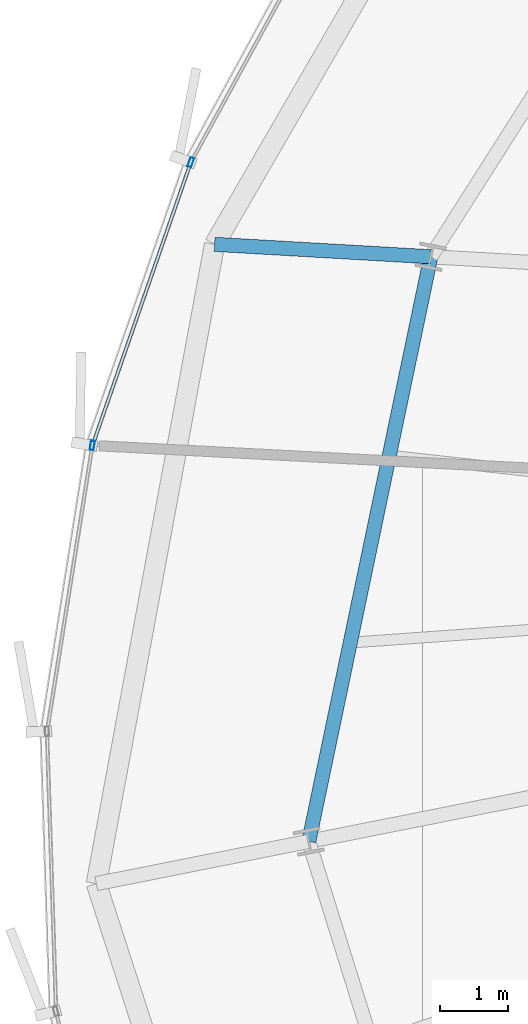
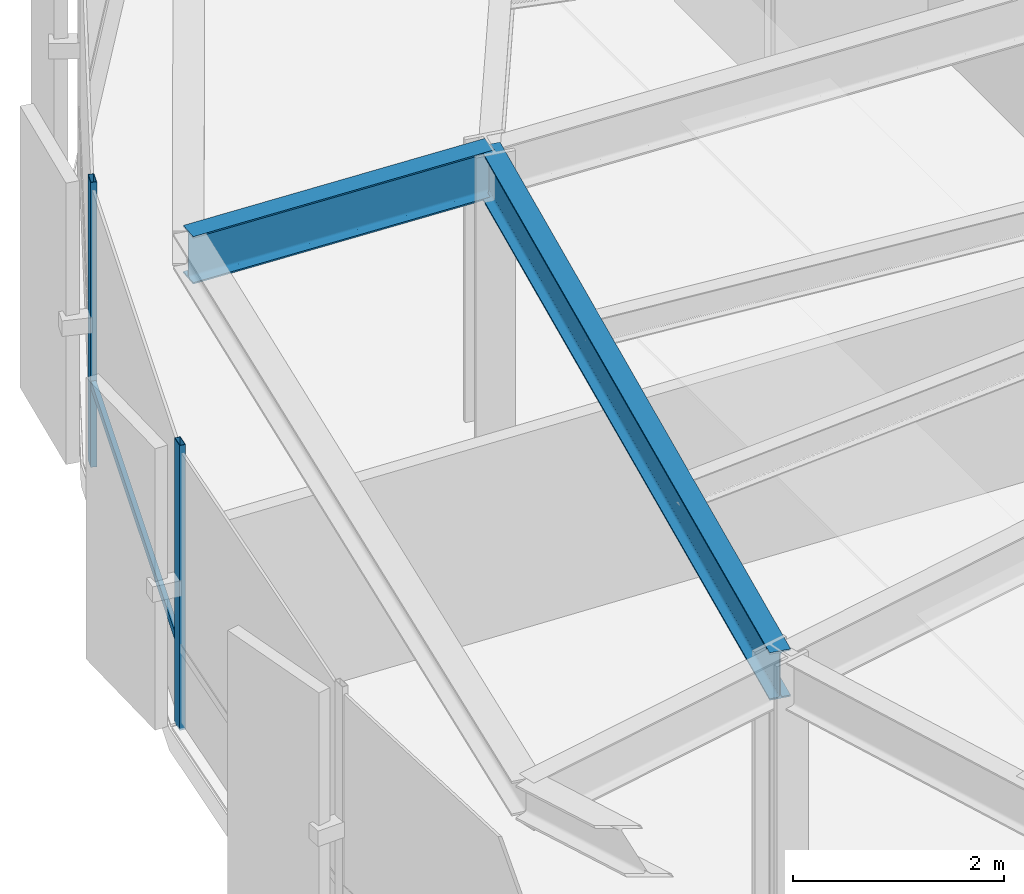
# One storey, part 10 of 32: 3 members, 2 beams, 1 element without a shape of its own.
"""IFC4 building model written with IfcOpenShell, lengths in metres."""

from ifc_helpers import new_model, si_unit, direction, frame, origin, origin_2d, place, context, subcontext, project, spatial, hollow_rectangle, i_section, extrude, source, transform, mapped, material, layer, layer_set, material_profile, profile_set, type_object, element, aggregate, save


model = new_model("IFC4")

# Units and contexts
model_context = context("Model", 3, precision=1e-05, world=origin(), true_north=direction((0.0, 1.0)))
body_context = subcontext(model_context, "Body", "Model", "MODEL_VIEW")
ifc_project = project(units=[si_unit("LENGTHUNIT", "METRE"), si_unit("AREAUNIT", "SQUARE_METRE"), si_unit("VOLUMEUNIT", "CUBIC_METRE"), si_unit("PLANEANGLEUNIT", "RADIAN"), si_unit("MASSUNIT", "GRAM", prefix="KILO"), si_unit("THERMODYNAMICTEMPERATUREUNIT", "KELVIN")], contexts=[model_context])

# Site, building, storey
site_placement = place(None, origin())
site = spatial("IfcSite", under=ifc_project, at=site_placement, CompositionType="ELEMENT")
building_placement = place(site_placement, origin())
building = spatial("IfcBuilding", under=site, at=building_placement, Name="Kethvar Cultural Tower", CompositionType="ELEMENT")
storey_placement = place(building_placement, frame((0.0, 0.0, 160.75)))
storey = spatial("IfcBuildingStorey", under=building, at=storey_placement, Name="L41", CompositionType="ELEMENT", Elevation=160.75)

# Beams
ifc_material_1 = material(Name="Steel S355J2", Category="steel")
ifc_material_profile_1 = material_profile(ifc_material_1, i_section(OverallWidth=0.2099609375, OverallDepth=0.550048828125, WebThickness=0.010986328125, FlangeThickness=0.01708984375, FilletRadius=0.02392578125, at=origin_2d()), Name="Steel S355J2 — IPE550")
ifc_profile_set_1 = profile_set([ifc_material_profile_1], Name="Steel S355J2 — IPE550")
beam_type = type_object("IfcBeamType", Name="BM-IPE550", PredefinedType="BEAM", material=ifc_profile_set_1)
shared_shape_1 = source(origin(), body_context, "Body", "SweptSolid", [
    extrude(i_section(OverallWidth=0.2099609375, OverallDepth=0.550048828125, WebThickness=0.010986328125, FlangeThickness=0.01708984375, FilletRadius=0.02392578125, at=origin_2d()), origin(), (0.0, 0.0, 1.0), 3.2001953125),
])
beam_1_placement = place(storey_placement, frame((25.988525390625, 31.939697265625, 3.02294921875), z_axis=(-0.998357274949, 0.057295301352, 0.0), x_axis=(-0.057295301352, -0.998357274949, 0.0)))
element("IfcBeam", 1, at=beam_1_placement, inside=storey, type_object=beam_type, Name="L41 Perimeter Cantilever Beam RC-08", PredefinedType="BEAM", context=body_context, shape_type="MappedRepresentation", body=[
    mapped(shared_shape_1, transform((0.0, 0.0, 0.0), scale=1.0)),
])
shared_shape_2 = source(origin(), body_context, "Body", "SweptSolid", [
    extrude(i_section(OverallWidth=0.2099609375, OverallDepth=0.550048828125, WebThickness=0.010986328125, FlangeThickness=0.01708984375, FilletRadius=0.02392578125, at=origin_2d()), origin(), (0.0, 0.0, 1.0), 8.82421875),
])
beam_2_placement = place(storey_placement, frame((25.988525390625, 31.939697265625, 3.02294921875), z_axis=(-0.204350879122, -0.978897705688, 0.0), x_axis=(0.978897705688, -0.204350879122, 0.0)))
element("IfcBeam", 2, at=beam_2_placement, inside=storey, type_object=beam_type, Name="L41 Column Ring Tie Beam CR-08", PredefinedType="BEAM", context=body_context, shape_type="MappedRepresentation", body=[
    mapped(shared_shape_2, transform((0.0, 0.0, 0.0), scale=1.0)),
])

# Curtain wall, members
ifc_material_2 = material(Name="Aluminium 6063-T6", Category="aluminium")
ifc_layer = layer(ifc_material_2, 0.179931640625, Name="Aluminium 6063-T6", Category="aluminium")
ifc_layer_set = layer_set([ifc_layer], Name="Aluminium 6063-T6 (180 mm)")
curtain_wall_type = type_object("IfcCurtainWallType", Name="CW-SYS-04-Z34", PredefinedType="NOTDEFINED", material=ifc_layer_set)
curtain_wall_placement = place(storey_placement, origin())
curtain_wall = element("IfcCurtainWall", 3, at=curtain_wall_placement, inside=storey, type_object=curtain_wall_type, Name="L41 Curtain Wall Run 03", PredefinedType="NOTDEFINED")
ifc_material_profile_2 = material_profile(ifc_material_2, hollow_rectangle(XDim=0.06005859375, YDim=0.139892578125, WallThickness=0.0048828125, at=origin_2d()), Name="Aluminium 6063-T6 — RHS140x60x5")
ifc_profile_set_2 = profile_set([ifc_material_profile_2], Name="Aluminium 6063-T6 — RHS140x60x5")
member_type_1 = type_object("IfcMemberType", Name="CW-SYS-04-Z34-MUL", PredefinedType="MULLION", material=ifc_profile_set_2)
shared_shape_3 = source(origin(), body_context, "Body", "SweptSolid", [
    extrude(hollow_rectangle(XDim=0.06005859375, YDim=0.139892578125, WallThickness=0.0048828125, at=origin_2d()), origin(), (0.0, 0.0, 1.0), 3.300048828125),
])
member_1_placement = place(storey_placement, frame((22.443603515625, 33.335693359375, 0.0), z_axis=(0.0, 0.0, 1.0), x_axis=(0.944628643199, -0.328141320847, 0.0)))
member_1 = element("IfcMember", 4, at=member_1_placement, type_object=member_type_1, Name="CW-L41-R03 Mullion 2", PredefinedType="MULLION", context=body_context, shape_type="MappedRepresentation", body=[
    mapped(shared_shape_3, transform((0.0, 0.0, 0.0), scale=1.0)),
])
member_2_placement = place(storey_placement, frame((20.98828125, 29.151611328125, 0.0), z_axis=(0.0, 0.0, 1.0), x_axis=(0.9876828794, -0.156468941772, 0.0)))
member_2 = element("IfcMember", 5, at=member_2_placement, type_object=member_type_1, Name="CW-L41-R03 Mullion 3", PredefinedType="MULLION", context=body_context, shape_type="MappedRepresentation", body=[
    mapped(shared_shape_3, transform((0.0, 0.0, 0.0), scale=1.0)),
])
ifc_material_profile_3 = material_profile(ifc_material_2, hollow_rectangle(XDim=0.050048828125, YDim=0.10009765625, WallThickness=0.00390625, at=origin_2d()), Name="Aluminium 6063-T6 — RHS100x50x4")
ifc_profile_set_3 = profile_set([ifc_material_profile_3], Name="Aluminium 6063-T6 — RHS100x50x4")
member_type_2 = type_object("IfcMemberType", Name="CW-SYS-04-Z34-TRN", PredefinedType="USERDEFINED", material=ifc_profile_set_3)
shared_shape_4 = source(origin(), body_context, "Body", "SweptSolid", [
    extrude(hollow_rectangle(XDim=0.050048828125, YDim=0.10009765625, WallThickness=0.00390625, at=origin_2d()), origin(), (0.0, 0.0, 1.0), 4.36279296875),
])
member_3_placement = place(storey_placement, frame((22.429443359375, 33.294921875, 0.949951171875), z_axis=(-0.328138610545, -0.944629584689, 0.0), x_axis=(0.944629584689, -0.328138610545, 0.0)))
member_3 = element("IfcMember", 6, at=member_3_placement, type_object=member_type_2, Name="CW-L41-R03 Transom 2", ObjectType="TRANSOM", PredefinedType="USERDEFINED", context=body_context, shape_type="MappedRepresentation", body=[
    mapped(shared_shape_4, transform((0.0, 0.0, 0.0), scale=1.0)),
])
aggregate(curtain_wall, [member_1, member_2, member_3])

save(model, "model.ifc")
